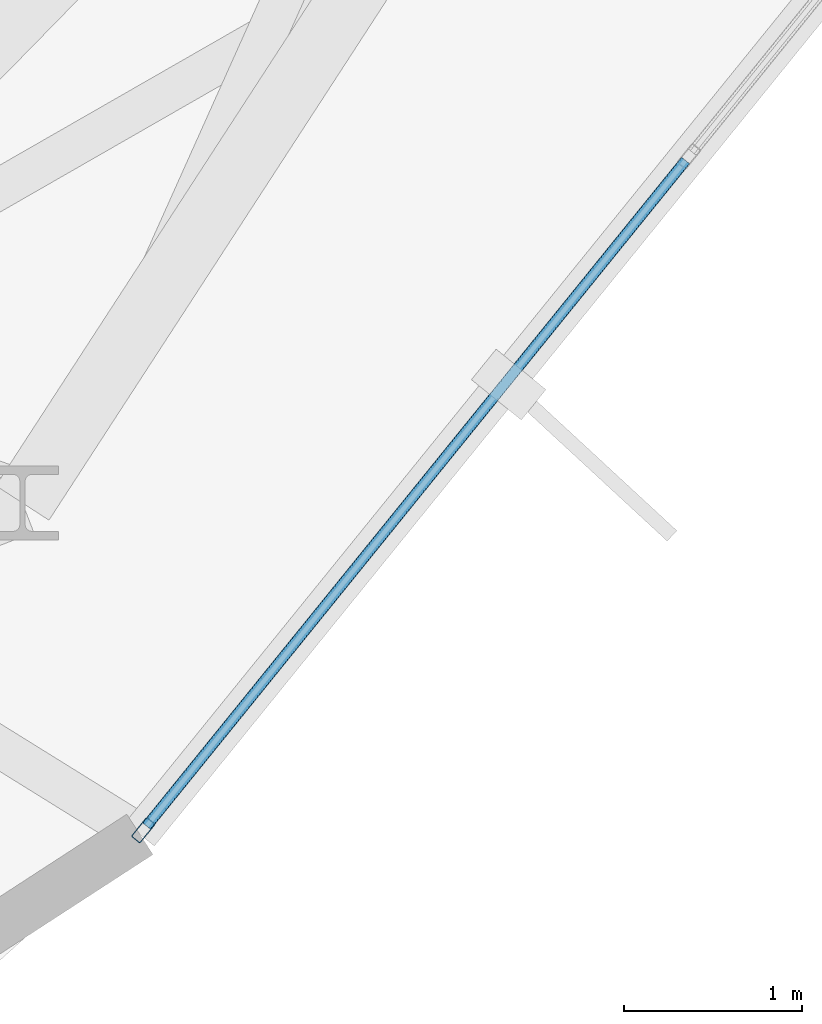
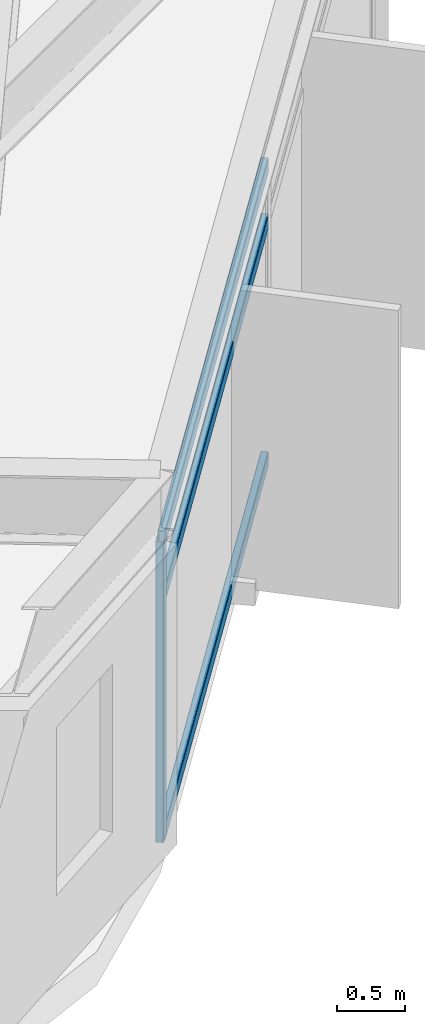
# One storey, part 8 of 29: 4 members, 1 element without a shape of its own.
"""IFC4 building model written with IfcOpenShell, lengths in metres."""

from ifc_helpers import new_model, si_unit, direction, frame, origin, origin_2d, place, context, subcontext, project, spatial, hollow_rectangle, extrude, material, layer, layer_set, material_profile, profile_set, type_object, element, aggregate, save


model = new_model("IFC4")

# Units and contexts
model_context = context("Model", 3, precision=1e-05, world=origin(), true_north=direction((0.0, 1.0)))
body_context = subcontext(model_context, "Body", "Model", "MODEL_VIEW")
ifc_project = project(units=[si_unit("LENGTHUNIT", "METRE"), si_unit("AREAUNIT", "SQUARE_METRE"), si_unit("VOLUMEUNIT", "CUBIC_METRE"), si_unit("PLANEANGLEUNIT", "RADIAN"), si_unit("MASSUNIT", "GRAM", prefix="KILO")], contexts=[model_context])

# Site, building, storey
site_placement = place(None, origin())
site = spatial("IfcSite", under=ifc_project, at=site_placement, CompositionType="ELEMENT")
building_placement = place(site_placement, origin())
building = spatial("IfcBuilding", under=site, at=building_placement, Name="Soratama Intermodal Tower", CompositionType="ELEMENT")
storey_placement = place(building_placement, frame((0.0, 0.0, 219.39990234375)))
storey = spatial("IfcBuildingStorey", under=building, at=storey_placement, Name="L55", CompositionType="ELEMENT", Elevation=219.39990234375)

# Curtain wall, members
ifc_material_1 = material(Name="Double-glazed aluminium curtain wall", Category="aluminium")
ifc_layer = layer(ifc_material_1, 0.159912109375)
ifc_layer_set = layer_set([ifc_layer], Name="Double-glazed aluminium curtain wall")
curtain_wall_type = type_object("IfcCurtainWallType", Name="CW-SYS-5", PredefinedType="NOTDEFINED", material=ifc_layer_set)
curtain_wall_placement = place(storey_placement, origin())
curtain_wall = element("IfcCurtainWall", 1, at=curtain_wall_placement, inside=storey, type_object=curtain_wall_type, Name="L55 Faceted Curtain Wall F08", PredefinedType="NOTDEFINED")
ifc_material_2 = material(Name="Anodised aluminium AA 6063-T6", Category="aluminium")
ifc_material_profile_1 = material_profile(ifc_material_2, hollow_rectangle(XDim=0.06494140625, YDim=0.139892578125, WallThickness=0.0048828125, InnerFilletRadius=0.0048828125, OuterFilletRadius=0.010009765625, at=origin_2d()), Name="CWM140X65X5")
ifc_profile_set_1 = profile_set([ifc_material_profile_1], Name="Anodised aluminium AA 6063-T6")
member_type_1 = type_object("IfcMemberType", Name="MT-CWM-5", PredefinedType="MULLION", material=ifc_profile_set_1)
member_1_placement = place(storey_placement, frame((57.38330078125, 8.70703125, 0.0), z_axis=(0.0, 0.0, 1.0), x_axis=(-0.777152878151, 0.629311849549, 0.0)))
member_1 = element("IfcMember", 2, at=member_1_placement, type_object=member_type_1, Name="CW-5 mullion 1", PredefinedType="MULLION", context=body_context, shape_type="SweptSolid", body=[
    extrude(hollow_rectangle(XDim=0.06494140625, YDim=0.139892578125, WallThickness=0.0048828125, InnerFilletRadius=0.0048828125, OuterFilletRadius=0.010009765625, at=origin_2d()), origin(), (0.0, 0.0, 1.0), 2.67919921875),
])
ifc_material_3 = material(Name="Anodised aluminium AA 6063-T6", Category="aluminium")
ifc_material_profile_2 = material_profile(ifc_material_3, hollow_rectangle(XDim=0.06005859375, YDim=0.1298828125, WallThickness=0.0048828125, InnerFilletRadius=0.0048828125, OuterFilletRadius=0.010009765625, at=origin_2d()), Name="CWT130X60X5")
ifc_profile_set_2 = profile_set([ifc_material_profile_2], Name="Anodised aluminium AA 6063-T6")
member_type_2 = type_object("IfcMemberType", Name="TT-CWT-2", PredefinedType="USERDEFINED", material=ifc_profile_set_2)
member_2_placement = place(storey_placement, frame((57.40234375, 8.73046875, 0.030029296875), z_axis=(0.629309223431, 0.777155004684, 0.0), x_axis=(-0.777155004684, 0.629309223431, 0.0)))
member_2 = element("IfcMember", 3, at=member_2_placement, type_object=member_type_2, Name="CW-5 transom 1.1", ObjectType="TRANSOM", PredefinedType="USERDEFINED", context=body_context, shape_type="SweptSolid", body=[
    extrude(hollow_rectangle(XDim=0.06005859375, YDim=0.1298828125, WallThickness=0.0048828125, InnerFilletRadius=0.0048828125, OuterFilletRadius=0.010009765625, at=origin_2d()), origin(), (0.0, 0.0, 1.0), 4.80859375),
])
member_3_placement = place(storey_placement, frame((57.40234375, 8.73046875, 2.150146484375), z_axis=(0.629309223431, 0.777155004684, 0.0), x_axis=(-0.777155004684, 0.629309223431, 0.0)))
member_3 = element("IfcMember", 4, at=member_3_placement, type_object=member_type_2, Name="CW-5 transom 1.2", ObjectType="TRANSOM", PredefinedType="USERDEFINED", context=body_context, shape_type="SweptSolid", body=[
    extrude(hollow_rectangle(XDim=0.06005859375, YDim=0.1298828125, WallThickness=0.0048828125, InnerFilletRadius=0.0048828125, OuterFilletRadius=0.010009765625, at=origin_2d()), origin(), (0.0, 0.0, 1.0), 4.80859375),
])
member_4_placement = place(storey_placement, frame((57.40234375, 8.73046875, 2.649169921875), z_axis=(0.629309223431, 0.777155004684, 0.0), x_axis=(-0.777155004684, 0.629309223431, 0.0)))
member_4 = element("IfcMember", 5, at=member_4_placement, type_object=member_type_2, Name="CW-5 transom 1.3", ObjectType="TRANSOM", PredefinedType="USERDEFINED", context=body_context, shape_type="SweptSolid", body=[
    extrude(hollow_rectangle(XDim=0.06005859375, YDim=0.1298828125, WallThickness=0.0048828125, InnerFilletRadius=0.0048828125, OuterFilletRadius=0.010009765625, at=origin_2d()), origin(), (0.0, 0.0, 1.0), 4.80859375),
])
aggregate(curtain_wall, [member_1, member_2, member_3, member_4])

save(model, "model.ifc")
